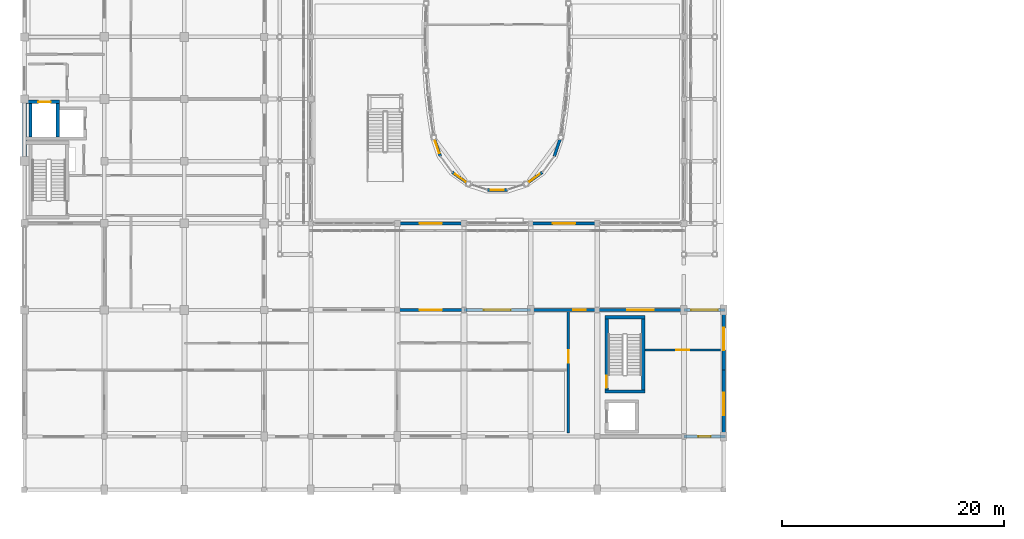
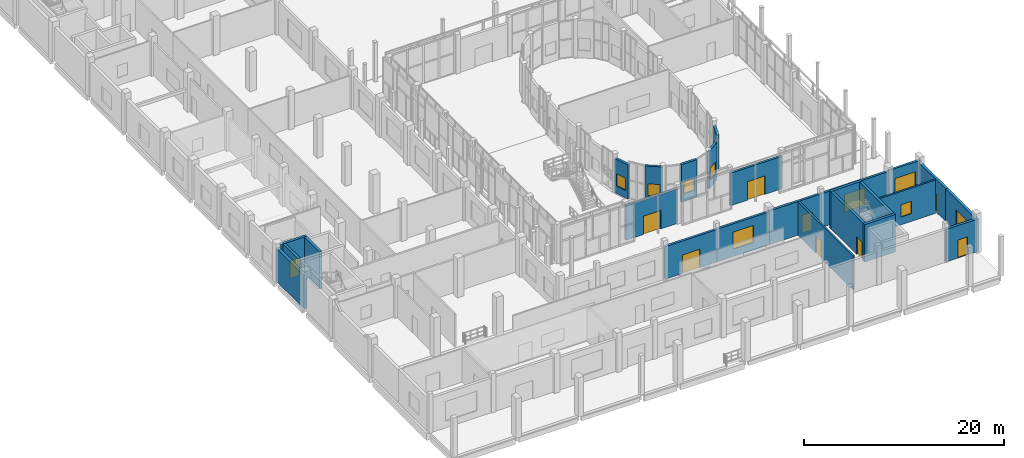
# One storey, part 67 of 91: 25 walls, 9 doors, 9 windows, 18 openings.
"""IFC4 building model written with IfcOpenShell, lengths in metres."""

from ifc_helpers import new_model, si_unit, direction, frame, frame_2d, origin, place, context, subcontext, project, spatial, rectangle, extrude, material, layer, layer_set, type_object, element, fill, save


model = new_model("IFC4")

# Units and contexts
model_context = context("Model", 3, precision=1e-05, world=origin(), true_north=direction((0.0, 1.0)))
body_context = subcontext(model_context, "Body", "Model", "MODEL_VIEW")
ifc_project = project(units=[si_unit("LENGTHUNIT", "METRE"), si_unit("AREAUNIT", "SQUARE_METRE"), si_unit("VOLUMEUNIT", "CUBIC_METRE"), si_unit("PLANEANGLEUNIT", "RADIAN"), si_unit("MASSUNIT", "GRAM", prefix="KILO")], contexts=[model_context])

# Site, building, storey
site_placement = place(None, origin())
site = spatial("IfcSite", under=ifc_project, at=site_placement, CompositionType="ELEMENT")
building_placement = place(site_placement, origin())
building = spatial("IfcBuilding", under=site, at=building_placement, Name="Vinh Khe Railworks Police Headquarters", CompositionType="ELEMENT")
storey_placement = place(building_placement, origin())
storey = spatial("IfcBuildingStorey", under=building, at=storey_placement, Name="L00", CompositionType="ELEMENT", Elevation=0.0)

# Wall, opening, door
ifc_material_1 = material(Name="Concrete C40/50 (B40)", Category="concrete")
ifc_layer_1 = layer(ifc_material_1, 0.300048828125)
ifc_layer_set_1 = layer_set([ifc_layer_1], Name="Concrete C40/50 (B40)")
wall_type_1 = type_object("IfcWallType", Name="Core Shear Wall 300", PredefinedType="SHEAR", material=ifc_layer_set_1)
wall_1_placement = place(storey_placement, frame((0.75, 36.14990234375, 0.0), z_axis=(0.0, 0.0, 1.0), x_axis=(1.0, 0.0, 0.0)))
wall_1 = element("IfcWall", 1, at=wall_1_placement, inside=storey, type_object=wall_type_1, Name="Core C1 FL-N Lift Shaft Wall (L00)", PredefinedType="SHEAR", context=body_context, shape_type="SweptSolid", body=[
    extrude(rectangle(XDim=3.0, YDim=0.300048828125, at=frame_2d((1.5, 0.0))), origin(), (0.0, 0.0, 1.0), 4.56005859375),
])
opening_1_placement = place(wall_1_placement, frame((1.10009765625, 0.0, 0.0)))
opening_1 = element("IfcOpeningElement", 2, at=opening_1_placement, cuts=wall_1, Name="Opening LD-01", PredefinedType="OPENING", context=body_context, shape_type="SweptSolid", body=[
    extrude(rectangle(XDim=1.10009765625, YDim=2.14990234375, at=frame_2d((0.550048828125, 1.074951171875))), frame((0.0, 0.1650390625, 0.0), z_axis=(0.0, -1.0, 0.0), x_axis=(1.0, 0.0, 0.0)), (0.0, 0.0, 1.0), 0.329833984375),
])
ifc_material_2 = material(Name="Painted galvanised steel", Category="steel")
door_type_1 = type_object("IfcDoorType", Name="LD-FF-1100", OperationType="SLIDING_TO_LEFT", PredefinedType="DOOR", material=ifc_material_2)
door_1_placement = place(opening_1_placement, origin())
door_1 = element("IfcDoor", 3, at=door_1_placement, inside=storey, type_object=door_type_1, Name="Firefighting Lift Landing Door FL-01 L00", OperationType="SLIDING_TO_LEFT", OverallHeight=2.14990234375, OverallWidth=1.10009765625, PredefinedType="DOOR", context=body_context, shape_type="SweptSolid", body=[
    extrude(rectangle(XDim=1.10009765625, YDim=2.14990234375, at=frame_2d((0.550048828125, 1.074951171875))), frame((0.0, 0.02490234375, 0.0), z_axis=(0.0, -1.0, 0.0), x_axis=(1.0, 0.0, 0.0)), (0.0, 0.0, 1.0), 0.050048828125),
])
fill(opening_1, door_1)

# Walls
for number, where, z_axis, x_axis, name in (
    (4, (1.14990234375, 33.0, 0.0), (0.0, 0.0, 1.0), (0.0, 1.0, 0.0), "Core C1 FL-W Lift Shaft Wall (L00)"),
    (5, (3.60009765625, 33.0, 0.0), (0.0, 0.0, 1.0), (0.0, 1.0, 0.0), "Core C1 LIFT-DIV Lift Shaft Wall (L00)"),
):
    element("IfcWall", number, at=place(storey_placement, frame(where, z_axis=z_axis, x_axis=x_axis)), inside=storey, type_object=wall_type_1, Name=name, PredefinedType="SHEAR", context=body_context, shape_type="SweptSolid", body=[
        extrude(rectangle(XDim=3.0, YDim=0.300048828125, at=frame_2d((1.5, 0.0))), origin(), (0.0, 0.0, 1.0), 4.56005859375),
    ])
for number, where, z_axis, x_axis, name in (
    (6, (52.89990234375, 10.050048828125, 0.0), (0.0, 0.0, 1.0), (1.0, 0.0, 0.0), "Core C5 STAIR-S Shear Wall (L00)"),
    (7, (52.89990234375, 16.75, 0.0), (0.0, 0.0, 1.0), (1.0, 0.0, 0.0), "Core C5 STAIR-N Shear Wall (L00)"),
):
    element("IfcWall", number, at=place(storey_placement, frame(where, z_axis=z_axis, x_axis=x_axis)), inside=storey, type_object=wall_type_1, Name=name, PredefinedType="SHEAR", context=body_context, shape_type="SweptSolid", body=[
        extrude(rectangle(XDim=3.60009765625, YDim=0.300048828125, at=frame_2d((1.800048828125, 0.0))), origin(), (0.0, 0.0, 1.0), 4.56005859375),
    ])

# Wall, opening, door
wall_2_placement = place(storey_placement, frame((53.050048828125, 10.199951171875, 0.0), z_axis=(0.0, 0.0, 1.0), x_axis=(0.0, 1.0, 0.0)))
wall_2 = element("IfcWall", 8, at=wall_2_placement, inside=storey, type_object=wall_type_1, Name="Core C5 STAIR-W Shear Wall (L00)", PredefinedType="SHEAR", context=body_context, shape_type="SweptSolid", body=[
    extrude(rectangle(XDim=6.400146484375, YDim=0.300048828125, at=frame_2d((3.2001953125, 0.0))), origin(), (0.0, 0.0, 1.0), 4.56005859375),
])
opening_2_placement = place(wall_2_placement, frame((0.169921875, 0.0, 0.0)))
opening_2 = element("IfcOpeningElement", 9, at=opening_2_placement, cuts=wall_2, Name="Opening FD-01", PredefinedType="OPENING", context=body_context, shape_type="SweptSolid", body=[
    extrude(rectangle(XDim=1.10009765625, YDim=2.14990234375, at=frame_2d((0.550048828125, 1.074951171875))), frame((0.0, 0.1650390625, 0.0), z_axis=(0.0, -1.0, 0.0), x_axis=(1.0, 0.0, 0.0)), (0.0, 0.0, 1.0), 0.329833984375),
])
door_type_2 = type_object("IfcDoorType", Name="FD-1100x2150", OperationType="NOTDEFINED", PredefinedType="DOOR", material=ifc_material_2)
door_2_placement = place(opening_2_placement, origin())
door_2 = element("IfcDoor", 10, at=door_2_placement, inside=storey, type_object=door_type_2, Name="Escape Stair ST-05 Fire Door L00", OperationType="SINGLE_SWING_RIGHT", OverallHeight=2.14990234375, OverallWidth=1.10009765625, PredefinedType="DOOR", context=body_context, shape_type="SweptSolid", body=[
    extrude(rectangle(XDim=1.10009765625, YDim=2.14990234375, at=frame_2d((0.550048828125, 1.074951171875))), frame((0.0, 0.02490234375, 0.0), z_axis=(0.0, -1.0, 0.0), x_axis=(1.0, 0.0, 0.0)), (0.0, 0.0, 1.0), 0.050048828125),
])
fill(opening_2, door_2)

# Wall
wall_3_placement = place(storey_placement, frame((56.35009765625, 10.199951171875, 0.0), z_axis=(0.0, 0.0, 1.0), x_axis=(0.0, 1.0, 0.0)))
element("IfcWall", 11, at=wall_3_placement, inside=storey, type_object=wall_type_1, Name="Core C5 STAIR-E Shear Wall (L00)", PredefinedType="SHEAR", context=body_context, shape_type="SweptSolid", body=[
    extrude(rectangle(XDim=6.400146484375, YDim=0.300048828125, at=frame_2d((3.2001953125, 0.0))), origin(), (0.0, 0.0, 1.0), 4.56005859375),
])

# Wall, opening, door
ifc_material_3 = material(Name="Clay brickwork", Category="masonry")
ifc_layer_2 = layer(ifc_material_3, 0.260009765625)
ifc_layer_set_2 = layer_set([ifc_layer_2], Name="Clay brickwork")
wall_type_2 = type_object("IfcWallType", Name="EW-BRK-260", PredefinedType="SOLIDWALL", material=ifc_layer_set_2)
wall_4_placement = place(storey_placement, frame((34.199951171875, 17.39990234375, 0.0), z_axis=(0.0, 0.0, 1.0), x_axis=(1.0, 0.0, 0.0)))
wall_4 = element("IfcWall", 12, at=wall_4_placement, inside=storey, type_object=wall_type_2, Name="Exterior Brick Wall EW-L00-V4N-03", PredefinedType="SOLIDWALL", context=body_context, shape_type="SweptSolid", body=[
    extrude(rectangle(XDim=6.0, YDim=0.260009765625, at=frame_2d((3.0, 0.0))), origin(), (0.0, 0.0, 1.0), 3.955078125),
])
opening_3_placement = place(wall_4_placement, frame((2.0, 0.0, 0.0)))
opening_3 = element("IfcOpeningElement", 13, at=opening_3_placement, cuts=wall_4, Name="Opening ED-01", PredefinedType="OPENING", context=body_context, shape_type="SweptSolid", body=[
    extrude(rectangle(XDim=2.0, YDim=2.25, at=frame_2d((1.0, 1.125))), frame((0.0, 0.14501953125, 0.0), z_axis=(0.0, -1.0, 0.0), x_axis=(1.0, 0.0, 0.0)), (0.0, 0.0, 1.0), 0.289794921875),
])
ifc_material_4 = material(Name="Dark anodised aluminium and laminated safety glass", Category="aluminium")
door_type_3 = type_object("IfcDoorType", Name="ED-EXIT-2000", OperationType="DOUBLE_DOOR_SINGLE_SWING", PredefinedType="DOOR", material=ifc_material_4)
door_3_placement = place(opening_3_placement, origin())
door_3 = element("IfcDoor", 14, at=door_3_placement, inside=storey, type_object=door_type_3, Name="Forecourt Plaza Double Exit Door", OperationType="DOUBLE_DOOR_SINGLE_SWING", OverallHeight=2.25, OverallWidth=2.0, PredefinedType="DOOR", context=body_context, shape_type="SweptSolid", body=[
    extrude(rectangle(XDim=2.0, YDim=2.25, at=frame_2d((1.0, 1.125))), frame((0.0, 0.02490234375, 0.0), z_axis=(0.0, -1.0, 0.0), x_axis=(1.0, 0.0, 0.0)), (0.0, 0.0, 1.0), 0.050048828125),
])
fill(opening_3, door_3)

# Wall, opening, window
wall_5_placement = place(storey_placement, frame((40.199951171875, 17.39990234375, 0.0), z_axis=(0.0, 0.0, 1.0), x_axis=(1.0, 0.0, 0.0)))
wall_5 = element("IfcWall", 15, at=wall_5_placement, inside=storey, type_object=wall_type_2, Name="Exterior Brick Wall EW-L00-V4N-04", PredefinedType="SOLIDWALL", context=body_context, shape_type="SweptSolid", body=[
    extrude(rectangle(XDim=6.0, YDim=0.260009765625, at=frame_2d((3.0, 0.0))), origin(), (0.0, 0.0, 1.0), 4.0048828125),
])
opening_4_placement = place(wall_5_placement, frame((1.800048828125, 0.0, 0.89990234375)))
opening_4 = element("IfcOpeningElement", 16, at=opening_4_placement, cuts=wall_5, Name="Opening WN-02", PredefinedType="OPENING", context=body_context, shape_type="SweptSolid", body=[
    extrude(rectangle(XDim=2.39990234375, YDim=2.10009765625, at=frame_2d((1.199951171875, 1.050048828125))), frame((0.0, 0.14501953125, 0.0), z_axis=(0.0, -1.0, 0.0), x_axis=(1.0, 0.0, 0.0)), (0.0, 0.0, 1.0), 0.289794921875),
])
ifc_material_5 = material(Name="Double-glazed solar-control glass in dark steel frame", Category="steel")
window_type_1 = type_object("IfcWindowType", Name="WIN-WN-02", PartitioningType="DOUBLE_PANEL_VERTICAL", PredefinedType="WINDOW", material=ifc_material_5)
window_1_placement = place(opening_4_placement, origin())
window_1 = element("IfcWindow", 17, at=window_1_placement, inside=storey, type_object=window_type_1, Name="Casement Window WN-02", OverallHeight=2.10009765625, OverallWidth=2.39990234375, PartitioningType="SINGLE_PANEL", PredefinedType="WINDOW", context=body_context, shape_type="SweptSolid", body=[
    extrude(rectangle(XDim=2.39990234375, YDim=2.10009765625, at=frame_2d((1.199951171875, 1.050048828125))), frame((0.0, 0.030029296875, 0.0), z_axis=(0.0, -1.0, 0.0), x_axis=(1.0, 0.0, 0.0)), (0.0, 0.0, 1.0), 0.06005859375),
])
fill(opening_4, window_1)

# Wall, opening, door
wall_6_placement = place(storey_placement, frame((46.199951171875, 17.39990234375, 0.0), z_axis=(0.0, 0.0, 1.0), x_axis=(1.0, 0.0, 0.0)))
wall_6 = element("IfcWall", 18, at=wall_6_placement, inside=storey, type_object=wall_type_2, Name="Exterior Brick Wall EW-L00-V4N-05", PredefinedType="SOLIDWALL", context=body_context, shape_type="SweptSolid", body=[
    extrude(rectangle(XDim=6.0, YDim=0.260009765625, at=frame_2d((3.0, 0.0))), origin(), (0.0, 0.0, 1.0), 4.10498046875),
])
opening_5_placement = place(wall_6_placement, frame((3.85009765625, 0.0, 0.0)))
opening_5 = element("IfcOpeningElement", 19, at=opening_5_placement, cuts=wall_6, Name="Opening ED-02", PredefinedType="OPENING", context=body_context, shape_type="SweptSolid", body=[
    extrude(rectangle(XDim=1.10009765625, YDim=2.199951171875, at=frame_2d((0.550048828125, 1.10009765625))), frame((0.0, 0.14501953125, 0.0), z_axis=(0.0, -1.0, 0.0), x_axis=(1.0, 0.0, 0.0)), (0.0, 0.0, 1.0), 0.289794921875),
])
ifc_material_6 = material(Name="Painted galvanised steel leaf", Category="steel")
door_type_4 = type_object("IfcDoorType", Name="ED-FCR-1100", OperationType="NOTDEFINED", PredefinedType="DOOR", material=ifc_material_6)
door_4_placement = place(opening_5_placement, origin())
door_4 = element("IfcDoor", 20, at=door_4_placement, inside=storey, type_object=door_type_4, Name="Core C5 Protected Lobby Forecourt Exit Door", OperationType="SINGLE_SWING_RIGHT", OverallHeight=2.199951171875, OverallWidth=1.10009765625, PredefinedType="DOOR", context=body_context, shape_type="SweptSolid", body=[
    extrude(rectangle(XDim=1.10009765625, YDim=2.199951171875, at=frame_2d((0.550048828125, 1.10009765625))), frame((0.0, 0.02490234375, 0.0), z_axis=(0.0, -1.0, 0.0), x_axis=(1.0, 0.0, 0.0)), (0.0, 0.0, 1.0), 0.050048828125),
])
fill(opening_5, door_4)

# Wall, opening, window
wall_7_placement = place(storey_placement, frame((52.199951171875, 17.39990234375, 0.0), z_axis=(0.0, 0.0, 1.0), x_axis=(1.0, 0.0, 0.0)))
wall_7 = element("IfcWall", 21, at=wall_7_placement, inside=storey, type_object=wall_type_2, Name="Exterior Brick Wall EW-L00-V4N-06", PredefinedType="SOLIDWALL", context=body_context, shape_type="SweptSolid", body=[
    extrude(rectangle(XDim=7.800048828125, YDim=0.260009765625, at=frame_2d((3.89990234375, 0.0))), origin(), (0.0, 0.0, 1.0), 4.10498046875),
])
opening_6_placement = place(wall_7_placement, frame((2.699951171875, 0.0, 0.89990234375)))
opening_6 = element("IfcOpeningElement", 22, at=opening_6_placement, cuts=wall_7, Name="Opening WN-02", PredefinedType="OPENING", context=body_context, shape_type="SweptSolid", body=[
    extrude(rectangle(XDim=2.39990234375, YDim=2.10009765625, at=frame_2d((1.199951171875, 1.050048828125))), frame((0.0, 0.14501953125, 0.0), z_axis=(0.0, -1.0, 0.0), x_axis=(1.0, 0.0, 0.0)), (0.0, 0.0, 1.0), 0.289794921875),
])
window_2_placement = place(opening_6_placement, origin())
window_2 = element("IfcWindow", 23, at=window_2_placement, inside=storey, type_object=window_type_1, Name="Casement Window WN-02", OverallHeight=2.10009765625, OverallWidth=2.39990234375, PartitioningType="SINGLE_PANEL", PredefinedType="WINDOW", context=body_context, shape_type="SweptSolid", body=[
    extrude(rectangle(XDim=2.39990234375, YDim=2.10009765625, at=frame_2d((1.199951171875, 1.050048828125))), frame((0.0, 0.030029296875, 0.0), z_axis=(0.0, -1.0, 0.0), x_axis=(1.0, 0.0, 0.0)), (0.0, 0.0, 1.0), 0.06005859375),
])
fill(opening_6, window_2)

wall_8_placement = place(storey_placement, frame((60.0, 17.39990234375, 0.0), z_axis=(0.0, 0.0, 1.0), x_axis=(1.0, 0.0, 0.0)))
wall_8 = element("IfcWall", 24, at=wall_8_placement, inside=storey, type_object=wall_type_2, Name="Exterior Brick Wall EW-L00-V4N-07", PredefinedType="SOLIDWALL", context=body_context, shape_type="SweptSolid", body=[
    extrude(rectangle(XDim=3.72998046875, YDim=0.260009765625, at=frame_2d((1.864990234375, 0.0))), origin(), (0.0, 0.0, 1.0), 4.205078125),
])
opening_7_placement = place(wall_8_placement, frame((0.6650390625, 0.0, 0.89990234375)))
opening_7 = element("IfcOpeningElement", 25, at=opening_7_placement, cuts=wall_8, Name="Opening WN-02", PredefinedType="OPENING", context=body_context, shape_type="SweptSolid", body=[
    extrude(rectangle(XDim=2.39990234375, YDim=2.10009765625, at=frame_2d((1.199951171875, 1.050048828125))), frame((0.0, 0.14501953125, 0.0), z_axis=(0.0, -1.0, 0.0), x_axis=(1.0, 0.0, 0.0)), (0.0, 0.0, 1.0), 0.289794921875),
])
window_3_placement = place(opening_7_placement, origin())
window_3 = element("IfcWindow", 26, at=window_3_placement, inside=storey, type_object=window_type_1, Name="Casement Window WN-02", OverallHeight=2.10009765625, OverallWidth=2.39990234375, PartitioningType="SINGLE_PANEL", PredefinedType="WINDOW", context=body_context, shape_type="SweptSolid", body=[
    extrude(rectangle(XDim=2.39990234375, YDim=2.10009765625, at=frame_2d((1.199951171875, 1.050048828125))), frame((0.0, 0.030029296875, 0.0), z_axis=(0.0, -1.0, 0.0), x_axis=(1.0, 0.0, 0.0)), (0.0, 0.0, 1.0), 0.06005859375),
])
fill(opening_7, window_3)

# Wall, opening, door
wall_9_placement = place(storey_placement, frame((34.199951171875, 25.199951171875, 0.0), z_axis=(0.0, 0.0, 1.0), x_axis=(1.0, 0.0, 0.0)))
wall_9 = element("IfcWall", 27, at=wall_9_placement, inside=storey, type_object=wall_type_2, Name="Entrance Hall Portal Wall S-2", PredefinedType="SOLIDWALL", context=body_context, shape_type="SweptSolid", body=[
    extrude(rectangle(XDim=6.0, YDim=0.260009765625, at=frame_2d((3.0, 0.0))), origin(), (0.0, 0.0, 1.0), 4.205078125),
])
opening_8_placement = place(wall_9_placement, frame((2.0, 0.0, 0.0)))
opening_8 = element("IfcOpeningElement", 28, at=opening_8_placement, cuts=wall_9, Name="Opening ED-01", PredefinedType="OPENING", context=body_context, shape_type="SweptSolid", body=[
    extrude(rectangle(XDim=2.0, YDim=2.25, at=frame_2d((1.0, 1.125))), frame((0.0, 0.14501953125, 0.0), z_axis=(0.0, -1.0, 0.0), x_axis=(1.0, 0.0, 0.0)), (0.0, 0.0, 1.0), 0.289794921875),
])
door_5_placement = place(opening_8_placement, frame((2.0, 0.0, 0.0), z_axis=(0.0, 0.0, 1.0), x_axis=(-1.0, 0.0, 0.0)))
door_5 = element("IfcDoor", 29, at=door_5_placement, inside=storey, type_object=door_type_3, Name="Public Entrance Hall Double Exit Door S-2", OperationType="DOUBLE_DOOR_SINGLE_SWING", OverallHeight=2.25, OverallWidth=2.0, PredefinedType="DOOR", context=body_context, shape_type="SweptSolid", body=[
    extrude(rectangle(XDim=2.0, YDim=2.25, at=frame_2d((1.0, 1.125))), frame((0.0, 0.02490234375, 0.0), z_axis=(0.0, -1.0, 0.0), x_axis=(1.0, 0.0, 0.0)), (0.0, 0.0, 1.0), 0.050048828125),
])
fill(opening_8, door_5)

wall_10_placement = place(storey_placement, frame((46.199951171875, 25.199951171875, 0.0), z_axis=(0.0, 0.0, 1.0), x_axis=(1.0, 0.0, 0.0)))
wall_10 = element("IfcWall", 30, at=wall_10_placement, inside=storey, type_object=wall_type_2, Name="Entrance Hall Portal Wall S-4", PredefinedType="SOLIDWALL", context=body_context, shape_type="SweptSolid", body=[
    extrude(rectangle(XDim=6.0, YDim=0.260009765625, at=frame_2d((3.0, 0.0))), origin(), (0.0, 0.0, 1.0), 3.955078125),
])
opening_9_placement = place(wall_10_placement, frame((2.0, 0.0, 0.0)))
opening_9 = element("IfcOpeningElement", 31, at=opening_9_placement, cuts=wall_10, Name="Opening ED-01", PredefinedType="OPENING", context=body_context, shape_type="SweptSolid", body=[
    extrude(rectangle(XDim=2.0, YDim=2.25, at=frame_2d((1.0, 1.125))), frame((0.0, 0.14501953125, 0.0), z_axis=(0.0, -1.0, 0.0), x_axis=(1.0, 0.0, 0.0)), (0.0, 0.0, 1.0), 0.289794921875),
])
door_6_placement = place(opening_9_placement, frame((2.0, 0.0, 0.0), z_axis=(0.0, 0.0, 1.0), x_axis=(-1.0, 0.0, 0.0)))
door_6 = element("IfcDoor", 32, at=door_6_placement, inside=storey, type_object=door_type_3, Name="Public Entrance Hall Double Exit Door S-4", OperationType="DOUBLE_DOOR_SINGLE_SWING", OverallHeight=2.25, OverallWidth=2.0, PredefinedType="DOOR", context=body_context, shape_type="SweptSolid", body=[
    extrude(rectangle(XDim=2.0, YDim=2.25, at=frame_2d((1.0, 1.125))), frame((0.0, 0.02490234375, 0.0), z_axis=(0.0, -1.0, 0.0), x_axis=(1.0, 0.0, 0.0)), (0.0, 0.0, 1.0), 0.050048828125),
])
fill(opening_9, door_6)

# Wall, opening, window
wall_11_placement = place(storey_placement, frame((37.48681640625, 32.944091796875, 0.0), z_axis=(0.0, 0.0, 1.0), x_axis=(0.322793070249, -0.94646956306, 0.0)))
wall_11 = element("IfcWall", 33, at=wall_11_placement, inside=storey, type_object=wall_type_2, Name="Command Drum Base Pier C27", PredefinedType="SOLIDWALL", context=body_context, shape_type="SweptSolid", body=[
    extrude(rectangle(XDim=1.7939453125, YDim=0.260009765625, at=frame_2d((0.89697265625, 0.0))), origin(), (0.0, 0.0, 1.0), 4.1650390625),
])
opening_10_placement = place(wall_11_placement, frame((0.297119140625, 0.0, 0.89990234375)))
opening_10 = element("IfcOpeningElement", 34, at=opening_10_placement, cuts=wall_11, Name="Opening WN-10", PredefinedType="OPENING", context=body_context, shape_type="SweptSolid", body=[
    extrude(rectangle(XDim=1.199951171875, YDim=1.5, at=frame_2d((0.60009765625, 0.75))), frame((0.0, 0.14501953125, 0.0), z_axis=(0.0, -1.0, 0.0), x_axis=(1.0, 0.0, 0.0)), (0.0, 0.0, 1.0), 0.289794921875),
])
window_type_2 = type_object("IfcWindowType", Name="WIN-WN-10", PartitioningType="SINGLE_PANEL", PredefinedType="WINDOW", material=ifc_material_5)
window_4_placement = place(opening_10_placement, origin())
window_4 = element("IfcWindow", 35, at=window_4_placement, inside=storey, type_object=window_type_2, Name="Drum Base Acoustic Window WN-10", OverallHeight=1.5, OverallWidth=1.199951171875, PartitioningType="SINGLE_PANEL", PredefinedType="WINDOW", context=body_context, shape_type="SweptSolid", body=[
    extrude(rectangle(XDim=1.199951171875, YDim=1.5, at=frame_2d((0.60009765625, 0.75))), frame((0.0, 0.030029296875, 0.0), z_axis=(0.0, -1.0, 0.0), x_axis=(1.0, 0.0, 0.0)), (0.0, 0.0, 1.0), 0.06005859375),
])
fill(opening_10, window_4)

wall_12_placement = place(storey_placement, frame((39.135986328125, 29.806396484375, 0.0), z_axis=(0.0, 0.0, 1.0), x_axis=(0.813255052865, -0.581907397264, 0.0)))
wall_12 = element("IfcWall", 36, at=wall_12_placement, inside=storey, type_object=wall_type_2, Name="Command Drum Base Pier C29", PredefinedType="SOLIDWALL", context=body_context, shape_type="SweptSolid", body=[
    extrude(rectangle(XDim=1.7939453125, YDim=0.260009765625, at=frame_2d((0.89697265625, 0.0))), origin(), (0.0, 0.0, 1.0), 4.550048828125),
])
opening_11_placement = place(wall_12_placement, frame((0.297119140625, 0.0, 0.89990234375)))
opening_11 = element("IfcOpeningElement", 37, at=opening_11_placement, cuts=wall_12, Name="Opening WN-10", PredefinedType="OPENING", context=body_context, shape_type="SweptSolid", body=[
    extrude(rectangle(XDim=1.199951171875, YDim=1.5, at=frame_2d((0.60009765625, 0.75))), frame((0.0, 0.14501953125, 0.0), z_axis=(0.0, -1.0, 0.0), x_axis=(1.0, 0.0, 0.0)), (0.0, 0.0, 1.0), 0.289794921875),
])
window_5_placement = place(opening_11_placement, origin())
window_5 = element("IfcWindow", 38, at=window_5_placement, inside=storey, type_object=window_type_2, Name="Drum Base Acoustic Window WN-10", OverallHeight=1.5, OverallWidth=1.199951171875, PartitioningType="SINGLE_PANEL", PredefinedType="WINDOW", context=body_context, shape_type="SweptSolid", body=[
    extrude(rectangle(XDim=1.199951171875, YDim=1.5, at=frame_2d((0.60009765625, 0.75))), frame((0.0, 0.030029296875, 0.0), z_axis=(0.0, -1.0, 0.0), x_axis=(1.0, 0.0, 0.0)), (0.0, 0.0, 1.0), 0.06005859375),
])
fill(opening_11, window_5)

wall_13_placement = place(storey_placement, frame((42.302978515625, 28.21435546875, 0.0), z_axis=(0.0, 0.0, 1.0), x_axis=(1.0, 0.0, 0.0)))
wall_13 = element("IfcWall", 39, at=wall_13_placement, inside=storey, type_object=wall_type_2, Name="Command Drum Base Pier C31", PredefinedType="SOLIDWALL", context=body_context, shape_type="SweptSolid", body=[
    extrude(rectangle(XDim=1.7939453125, YDim=0.260009765625, at=frame_2d((0.89697265625, 0.0))), origin(), (0.0, 0.0, 1.0), 4.550048828125),
])
opening_12_placement = place(wall_13_placement, frame((0.297119140625, 0.0, 0.89990234375)))
opening_12 = element("IfcOpeningElement", 40, at=opening_12_placement, cuts=wall_13, Name="Opening WN-10", PredefinedType="OPENING", context=body_context, shape_type="SweptSolid", body=[
    extrude(rectangle(XDim=1.199951171875, YDim=1.5, at=frame_2d((0.60009765625, 0.75))), frame((0.0, 0.14501953125, 0.0), z_axis=(0.0, -1.0, 0.0), x_axis=(1.0, 0.0, 0.0)), (0.0, 0.0, 1.0), 0.289794921875),
])
window_6_placement = place(opening_12_placement, origin())
window_6 = element("IfcWindow", 41, at=window_6_placement, inside=storey, type_object=window_type_2, Name="Drum Base Acoustic Window WN-10", OverallHeight=1.5, OverallWidth=1.199951171875, PartitioningType="SINGLE_PANEL", PredefinedType="WINDOW", context=body_context, shape_type="SweptSolid", body=[
    extrude(rectangle(XDim=1.199951171875, YDim=1.5, at=frame_2d((0.60009765625, 0.75))), frame((0.0, 0.030029296875, 0.0), z_axis=(0.0, -1.0, 0.0), x_axis=(1.0, 0.0, 0.0)), (0.0, 0.0, 1.0), 0.06005859375),
])
fill(opening_12, window_6)

wall_14_placement = place(storey_placement, frame((45.80517578125, 28.762451171875, 0.0), z_axis=(0.0, 0.0, 1.0), x_axis=(0.813208963997, 0.581971804193, 0.0)))
wall_14 = element("IfcWall", 42, at=wall_14_placement, inside=storey, type_object=wall_type_2, Name="Command Drum Base Pier C33", PredefinedType="SOLIDWALL", context=body_context, shape_type="SweptSolid", body=[
    extrude(rectangle(XDim=1.793701171875, YDim=0.260009765625, at=frame_2d((0.89697265625, 0.0))), origin(), (0.0, 0.0, 1.0), 4.550048828125),
])
opening_13_placement = place(wall_14_placement, frame((0.297119140625, 0.0, 0.89990234375)))
opening_13 = element("IfcOpeningElement", 43, at=opening_13_placement, cuts=wall_14, Name="Opening WN-10", PredefinedType="OPENING", context=body_context, shape_type="SweptSolid", body=[
    extrude(rectangle(XDim=1.199951171875, YDim=1.5, at=frame_2d((0.60009765625, 0.75))), frame((0.0, 0.14501953125, 0.0), z_axis=(0.0, -1.0, 0.0), x_axis=(1.0, 0.0, 0.0)), (0.0, 0.0, 1.0), 0.289794921875),
])
window_7_placement = place(opening_13_placement, origin())
window_7 = element("IfcWindow", 44, at=window_7_placement, inside=storey, type_object=window_type_2, Name="Drum Base Acoustic Window WN-10", OverallHeight=1.5, OverallWidth=1.199951171875, PartitioningType="SINGLE_PANEL", PredefinedType="WINDOW", context=body_context, shape_type="SweptSolid", body=[
    extrude(rectangle(XDim=1.199951171875, YDim=1.5, at=frame_2d((0.60009765625, 0.75))), frame((0.0, 0.030029296875, 0.0), z_axis=(0.0, -1.0, 0.0), x_axis=(1.0, 0.0, 0.0)), (0.0, 0.0, 1.0), 0.06005859375),
])
fill(opening_13, window_7)

# Wall
wall_15_placement = place(storey_placement, frame((48.333984375, 31.24609375, 0.0), z_axis=(0.0, 0.0, 1.0), x_axis=(0.322793070249, 0.94646956306, 0.0)))
element("IfcWall", 45, at=wall_15_placement, inside=storey, type_object=wall_type_2, Name="Command Drum Base Pier C35", PredefinedType="SOLIDWALL", context=body_context, shape_type="SweptSolid", body=[
    extrude(rectangle(XDim=1.7939453125, YDim=0.260009765625, at=frame_2d((0.89697265625, 0.0))), origin(), (0.0, 0.0, 1.0), 4.1650390625),
])

# Wall, opening, door
ifc_layer_3 = layer(ifc_material_3, 0.300048828125)
ifc_layer_set_3 = layer_set([ifc_layer_3], Name="Clay brickwork")
wall_type_3 = type_object("IfcWallType", Name="EW-BRK-300", PredefinedType="SOLIDWALL", material=ifc_layer_set_3)
wall_16_placement = place(storey_placement, frame((60.0, 6.0, 0.0), z_axis=(0.0, 0.0, 1.0), x_axis=(1.0, 0.0, 0.0)))
wall_16 = element("IfcWall", 46, at=wall_16_placement, inside=storey, type_object=wall_type_3, Name="Exterior Brick Wall EW-L00-V4S-10", PredefinedType="SOLIDWALL", context=body_context, shape_type="SweptSolid", body=[
    extrude(rectangle(XDim=3.75, YDim=0.300048828125, at=frame_2d((1.875, 0.0))), origin(), (0.0, 0.0, 1.0), 3.955078125),
])
opening_14_placement = place(wall_16_placement, frame((1.324951171875, 0.0, 0.0)))
opening_14 = element("IfcOpeningElement", 47, at=opening_14_placement, cuts=wall_16, Name="Opening ED-02", PredefinedType="OPENING", context=body_context, shape_type="SweptSolid", body=[
    extrude(rectangle(XDim=1.10009765625, YDim=2.199951171875, at=frame_2d((0.550048828125, 1.10009765625))), frame((0.0, 0.1650390625, 0.0), z_axis=(0.0, -1.0, 0.0), x_axis=(1.0, 0.0, 0.0)), (0.0, 0.0, 1.0), 0.329833984375),
])
door_7_placement = place(opening_14_placement, frame((1.10009765625, 0.0, 0.0), z_axis=(0.0, 0.0, 1.0), x_axis=(-1.0, 0.0, 0.0)))
door_7 = element("IfcDoor", 48, at=door_7_placement, inside=storey, type_object=door_type_4, Name="Fire Command Room Direct Street Exit Door", OperationType="SINGLE_SWING_LEFT", OverallHeight=2.199951171875, OverallWidth=1.10009765625, PredefinedType="DOOR", context=body_context, shape_type="SweptSolid", body=[
    extrude(rectangle(XDim=1.10009765625, YDim=2.199951171875, at=frame_2d((0.550048828125, 1.10009765625))), frame((0.0, 0.02490234375, 0.0), z_axis=(0.0, -1.0, 0.0), x_axis=(1.0, 0.0, 0.0)), (0.0, 0.0, 1.0), 0.050048828125),
])
fill(opening_14, door_7)

# Wall, opening, window
wall_17_placement = place(storey_placement, frame((63.60009765625, 5.85009765625, 0.0), z_axis=(0.0, 0.0, 1.0), x_axis=(0.0, 1.0, 0.0)))
wall_17 = element("IfcWall", 49, at=wall_17_placement, inside=storey, type_object=wall_type_3, Name="Exterior Brick Wall EW-L00-V4E-01", PredefinedType="SOLIDWALL", context=body_context, shape_type="SweptSolid", body=[
    extrude(rectangle(XDim=6.14990234375, YDim=0.300048828125, at=frame_2d((3.074951171875, 0.0))), origin(), (0.0, 0.0, 1.0), 3.965087890625),
])
opening_15_placement = place(wall_17_placement, frame((2.074951171875, 0.0, 0.89990234375)))
opening_15 = element("IfcOpeningElement", 50, at=opening_15_placement, cuts=wall_17, Name="Opening WN-04", PredefinedType="OPENING", context=body_context, shape_type="SweptSolid", body=[
    extrude(rectangle(XDim=2.0, YDim=1.800048828125, at=frame_2d((1.0, 0.89990234375))), frame((0.0, 0.1650390625, 0.0), z_axis=(0.0, -1.0, 0.0), x_axis=(1.0, 0.0, 0.0)), (0.0, 0.0, 1.0), 0.329833984375),
])
window_type_3 = type_object("IfcWindowType", Name="WIN-WN-04", PartitioningType="DOUBLE_PANEL_VERTICAL", PredefinedType="WINDOW", material=ifc_material_5)
window_8_placement = place(opening_15_placement, origin())
window_8 = element("IfcWindow", 51, at=window_8_placement, inside=storey, type_object=window_type_3, Name="Casement Window WN-04", OverallHeight=1.800048828125, OverallWidth=2.0, PartitioningType="SINGLE_PANEL", PredefinedType="WINDOW", context=body_context, shape_type="SweptSolid", body=[
    extrude(rectangle(XDim=2.0, YDim=1.800048828125, at=frame_2d((1.0, 0.89990234375))), frame((0.0, 0.030029296875, 0.0), z_axis=(0.0, -1.0, 0.0), x_axis=(1.0, 0.0, 0.0)), (0.0, 0.0, 1.0), 0.06005859375),
])
fill(opening_15, window_8)

# Wall, opening, door
wall_18_placement = place(storey_placement, frame((63.60009765625, 12.0, 0.0), z_axis=(0.0, 0.0, 1.0), x_axis=(0.0, 1.0, 0.0)))
wall_18 = element("IfcWall", 52, at=wall_18_placement, inside=storey, type_object=wall_type_3, Name="Exterior Brick Wall EW-L00-V4E-02", PredefinedType="SOLIDWALL", context=body_context, shape_type="SweptSolid", body=[
    extrude(rectangle(XDim=5.550048828125, YDim=0.300048828125, at=frame_2d((2.77490234375, 0.0))), origin(), (0.0, 0.0, 1.0), 3.965087890625),
])
opening_16_placement = place(wall_18_placement, frame((1.77490234375, 0.0, 0.0)))
opening_16 = element("IfcOpeningElement", 53, at=opening_16_placement, cuts=wall_18, Name="Opening ED-01", PredefinedType="OPENING", context=body_context, shape_type="SweptSolid", body=[
    extrude(rectangle(XDim=2.0, YDim=2.25, at=frame_2d((1.0, 1.125))), frame((0.0, 0.1650390625, 0.0), z_axis=(0.0, -1.0, 0.0), x_axis=(1.0, 0.0, 0.0)), (0.0, 0.0, 1.0), 0.329833984375),
])
door_8_placement = place(opening_16_placement, frame((2.0, 0.0, 0.0), z_axis=(0.0, 0.0, 1.0), x_axis=(-1.0, 0.0, 0.0)))
door_8 = element("IfcDoor", 54, at=door_8_placement, inside=storey, type_object=door_type_3, Name="Core C5 Ground Final Exit Door", OperationType="DOUBLE_DOOR_SINGLE_SWING", OverallHeight=2.25, OverallWidth=2.0, PredefinedType="DOOR", context=body_context, shape_type="SweptSolid", body=[
    extrude(rectangle(XDim=2.0, YDim=2.25, at=frame_2d((1.0, 1.125))), frame((0.0, 0.02490234375, 0.0), z_axis=(0.0, -1.0, 0.0), x_axis=(1.0, 0.0, 0.0)), (0.0, 0.0, 1.0), 0.050048828125),
])
fill(opening_16, door_8)

# Wall
ifc_layer_4 = layer(ifc_material_3, 0.340087890625)
ifc_layer_set_4 = layer_set([ifc_layer_4], Name="Clay brickwork")
wall_type_4 = type_object("IfcWallType", Name="EW-BRK-340", PredefinedType="SOLIDWALL", material=ifc_layer_set_4)
wall_19_placement = place(storey_placement, frame((0.60009765625, 30.800048828125, 0.0), z_axis=(0.0, 0.0, 1.0), x_axis=(0.0, 1.0, 0.0)))
element("IfcWall", 55, at=wall_19_placement, inside=storey, type_object=wall_type_4, Name="Exterior Brick Wall EW-L00-V5W-03", PredefinedType="SOLIDWALL", context=body_context, shape_type="SweptSolid", body=[
    extrude(rectangle(XDim=5.599853515625, YDim=0.340087890625, at=frame_2d((2.7998046875, 0.0))), origin(), (0.0, 0.0, 1.0), 4.054931640625),
])

# Wall, opening, door
ifc_material_7 = material(Name="Autoclaved aerated concrete blockwork", Category="masonry")
ifc_layer_5 = layer(ifc_material_7, 0.199951171875)
ifc_layer_set_5 = layer_set([ifc_layer_5], Name="Autoclaved aerated concrete blockwork")
wall_type_5 = type_object("IfcWallType", Name="IW-BLK-200", PredefinedType="PARTITIONING", material=ifc_layer_set_5)
wall_20_placement = place(storey_placement, frame((49.60009765625, 6.300048828125, 0.0), z_axis=(0.0, 0.0, 1.0), x_axis=(0.0, 1.0, 0.0)))
wall_20 = element("IfcWall", 56, at=wall_20_placement, inside=storey, type_object=wall_type_5, Name="Interior Partition W-C5LOB-W-L00", PredefinedType="PARTITIONING", context=body_context, shape_type="SweptSolid", body=[
    extrude(rectangle(XDim=10.9599609375, YDim=0.199951171875, at=frame_2d((5.47998046875, 0.0))), origin(), (0.0, 0.0, 1.0), 4.10498046875),
])
opening_17_placement = place(wall_20_placement, frame((6.35009765625, 0.0, 0.0)))
opening_17 = element("IfcOpeningElement", 57, at=opening_17_placement, cuts=wall_20, Name="Opening FD-01", PredefinedType="OPENING", context=body_context, shape_type="SweptSolid", body=[
    extrude(rectangle(XDim=1.10009765625, YDim=2.14990234375, at=frame_2d((0.550048828125, 1.074951171875))), frame((0.0, 0.11474609375, 0.0), z_axis=(0.0, -1.0, 0.0), x_axis=(1.0, 0.0, 0.0)), (0.0, 0.0, 1.0), 0.229736328125),
])
door_9_placement = place(opening_17_placement, origin())
door_9 = element("IfcDoor", 58, at=door_9_placement, inside=storey, type_object=door_type_2, Name="Public Front Stair Lobby Fire Door", OperationType="SINGLE_SWING_LEFT", OverallHeight=2.14990234375, OverallWidth=1.10009765625, PredefinedType="DOOR", context=body_context, shape_type="SweptSolid", body=[
    extrude(rectangle(XDim=1.10009765625, YDim=2.14990234375, at=frame_2d((0.550048828125, 1.074951171875))), frame((0.0, 0.02490234375, 0.0), z_axis=(0.0, -1.0, 0.0), x_axis=(1.0, 0.0, 0.0)), (0.0, 0.0, 1.0), 0.050048828125),
])
fill(opening_17, door_9)

# Wall, opening, window
wall_21_placement = place(storey_placement, frame((56.5, 13.800048828125, 0.0), z_axis=(0.0, 0.0, 1.0), x_axis=(1.0, 0.0, 0.0)))
wall_21 = element("IfcWall", 59, at=wall_21_placement, inside=storey, type_object=wall_type_5, Name="Interior Partition W-L00-FCR-N", PredefinedType="PARTITIONING", context=body_context, shape_type="SweptSolid", body=[
    extrude(rectangle(XDim=6.800048828125, YDim=0.199951171875, at=frame_2d((3.39990234375, 0.0))), origin(), (0.0, 0.0, 1.0), 4.054931640625),
])
opening_18_placement = place(wall_21_placement, frame((2.800048828125, 0.0, 0.949951171875)))
opening_18 = element("IfcOpeningElement", 60, at=opening_18_placement, cuts=wall_21, Name="Opening WN-10", PredefinedType="OPENING", context=body_context, shape_type="SweptSolid", body=[
    extrude(rectangle(XDim=1.199951171875, YDim=1.5, at=frame_2d((0.60009765625, 0.75))), frame((0.0, 0.11474609375, 0.0), z_axis=(0.0, -1.0, 0.0), x_axis=(1.0, 0.0, 0.0)), (0.0, 0.0, 1.0), 0.229736328125),
])
window_9_placement = place(opening_18_placement, origin())
window_9 = element("IfcWindow", 61, at=window_9_placement, inside=storey, type_object=window_type_2, Name="Interior Acoustic Vision Window WN-10", OverallHeight=1.5, OverallWidth=1.199951171875, PartitioningType="SINGLE_PANEL", PredefinedType="WINDOW", context=body_context, shape_type="SweptSolid", body=[
    extrude(rectangle(XDim=1.199951171875, YDim=1.5, at=frame_2d((0.60009765625, 0.75))), frame((0.0, 0.030029296875, 0.0), z_axis=(0.0, -1.0, 0.0), x_axis=(1.0, 0.0, 0.0)), (0.0, 0.0, 1.0), 0.06005859375),
])
fill(opening_18, window_9)

save(model, "model.ifc")
